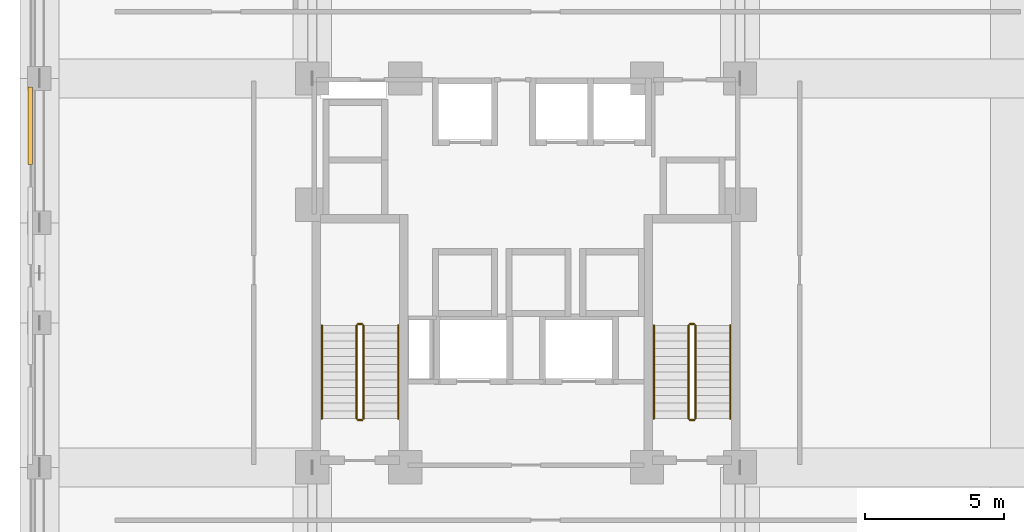
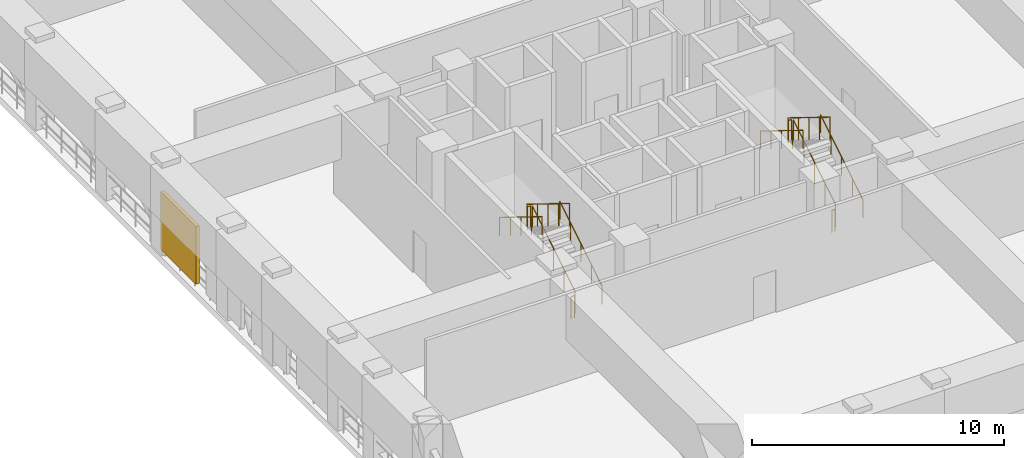
# One storey, part 10 of 11: 12 railings, 1 shading device.
"""IFC4 building model written with IfcOpenShell, lengths in metres."""

from ifc_helpers import new_model, si_unit, derived_unit, direction, frame, origin, origin_2d, place, context, subcontext, project, spatial, rectangle, circle, extrude, material, type_object, element, save


model = new_model("IFC4")

# Units and contexts
model_context = context("Model", 3, precision=1e-05, world=origin(), true_north=direction((0.0, 1.0)))
body_context = subcontext(model_context, "Body", "Model", "MODEL_VIEW")
ifc_project = project(units=[si_unit("LENGTHUNIT", "METRE"), si_unit("AREAUNIT", "SQUARE_METRE"), si_unit("VOLUMEUNIT", "CUBIC_METRE"), si_unit("PLANEANGLEUNIT", "RADIAN"), si_unit("MASSUNIT", "GRAM", prefix="KILO"), derived_unit("THERMALTRANSMITTANCEUNIT", [(si_unit("MASSUNIT", "GRAM", prefix="KILO"), 1), (si_unit("TIMEUNIT", "SECOND"), -3), (si_unit("THERMODYNAMICTEMPERATUREUNIT", "KELVIN"), -1)])], contexts=[model_context])

# Site, building, storey
site_placement = place(None, origin())
site = spatial("IfcSite", under=ifc_project, at=site_placement, CompositionType="ELEMENT")
building_placement = place(site_placement, origin())
building = spatial("IfcBuilding", under=site, at=building_placement, Name="Korrvale Station Residences", CompositionType="ELEMENT")
storey_placement = place(building_placement, frame((0.0, 0.0, 70.60009765625)))
storey = spatial("IfcBuildingStorey", under=building, at=storey_placement, Name="L19", CompositionType="ELEMENT", Elevation=70.60009765625)

# Railings
ifc_material_1 = material(Name="Brushed stainless-steel continuous stair handrail", Category="steel")
railing_type_1 = type_object("IfcRailingType", Name="RLG-SHND-900", PredefinedType="HANDRAIL", material=ifc_material_1)
railing_1_placement = place(storey_placement, frame((20.89990234375, 16.75, 0.173095703125)))
element("IfcRailing", 1, at=railing_1_placement, inside=storey, type_object=railing_type_1, Name="L19 ST-1 stair handrail 1", PredefinedType="HANDRAIL", context=body_context, shape_type="SweptSolid", body=[
    extrude(circle(Radius=0.02392578125, at=origin_2d()), frame((0.0, 0.0, 0.8759765625), z_axis=(0.0, 0.850623216509, 0.525775754039), x_axis=(-1.0, 0.0, 0.0)), (0.0, 0.0, 1.0), 3.9501953125),
    extrude(circle(Radius=0.02099609375, at=origin_2d()), origin(), (0.0, 0.0, 1.0), 0.851806640625),
    extrude(circle(Radius=0.02099609375, at=origin_2d()), frame((0.0, 0.840087890625, 0.519287109375)), (0.0, 0.0, 1.0), 0.851806640625),
    extrude(circle(Radius=0.02099609375, at=origin_2d()), frame((0.0, 1.68017578125, 1.03857421875)), (0.0, 0.0, 1.0), 0.851806640625),
    extrude(circle(Radius=0.02099609375, at=origin_2d()), frame((0.0, 2.52001953125, 1.5576171875)), (0.0, 0.0, 1.0), 0.851806640625),
    extrude(circle(Radius=0.02099609375, at=origin_2d()), frame((0.0, 3.360107421875, 2.076904296875)), (0.0, 0.0, 1.0), 0.851806640625),
])
railing_2_placement = place(storey_placement, frame((18.14990234375, 20.110107421875, 2.423095703125)))
element("IfcRailing", 2, at=railing_2_placement, inside=storey, type_object=railing_type_1, Name="L19 ST-1 stair handrail 2", PredefinedType="HANDRAIL", context=body_context, shape_type="SweptSolid", body=[
    extrude(circle(Radius=0.02392578125, at=origin_2d()), frame((0.0, 0.0, 0.8759765625), z_axis=(0.0, -0.850623216509, 0.525775754039), x_axis=(1.0, 0.0, 0.0)), (0.0, 0.0, 1.0), 3.9501953125),
    extrude(circle(Radius=0.02099609375, at=origin_2d()), origin(), (0.0, 0.0, 1.0), 0.851806640625),
    extrude(circle(Radius=0.02099609375, at=origin_2d()), frame((0.0, -0.840087890625, 0.519287109375)), (0.0, 0.0, 1.0), 0.851806640625),
    extrude(circle(Radius=0.02099609375, at=origin_2d()), frame((0.0, -1.68017578125, 1.03857421875)), (0.0, 0.0, 1.0), 0.851806640625),
    extrude(circle(Radius=0.02099609375, at=origin_2d()), frame((0.0, -2.52001953125, 1.5576171875)), (0.0, 0.0, 1.0), 0.851806640625),
    extrude(circle(Radius=0.02099609375, at=origin_2d()), frame((0.0, -3.360107421875, 2.076904296875)), (0.0, 0.0, 1.0), 0.851806640625),
])
railing_3_placement = place(storey_placement, frame((32.85009765625, 16.75, 0.173095703125)))
element("IfcRailing", 3, at=railing_3_placement, inside=storey, type_object=railing_type_1, Name="L19 ST-2 stair handrail 1", PredefinedType="HANDRAIL", context=body_context, shape_type="SweptSolid", body=[
    extrude(circle(Radius=0.02392578125, at=origin_2d()), frame((0.0, 0.0, 0.8759765625), z_axis=(0.0, 0.850623216509, 0.525775754039), x_axis=(-1.0, 0.0, 0.0)), (0.0, 0.0, 1.0), 3.9501953125),
    extrude(circle(Radius=0.02099609375, at=origin_2d()), origin(), (0.0, 0.0, 1.0), 0.851806640625),
    extrude(circle(Radius=0.02099609375, at=origin_2d()), frame((0.0, 0.840087890625, 0.519287109375)), (0.0, 0.0, 1.0), 0.851806640625),
    extrude(circle(Radius=0.02099609375, at=origin_2d()), frame((0.0, 1.68017578125, 1.03857421875)), (0.0, 0.0, 1.0), 0.851806640625),
    extrude(circle(Radius=0.02099609375, at=origin_2d()), frame((0.0, 2.52001953125, 1.5576171875)), (0.0, 0.0, 1.0), 0.851806640625),
    extrude(circle(Radius=0.02099609375, at=origin_2d()), frame((0.0, 3.360107421875, 2.076904296875)), (0.0, 0.0, 1.0), 0.851806640625),
])
railing_4_placement = place(storey_placement, frame((30.10009765625, 20.110107421875, 2.423095703125)))
element("IfcRailing", 4, at=railing_4_placement, inside=storey, type_object=railing_type_1, Name="L19 ST-2 stair handrail 2", PredefinedType="HANDRAIL", context=body_context, shape_type="SweptSolid", body=[
    extrude(circle(Radius=0.02392578125, at=origin_2d()), frame((0.0, 0.0, 0.8759765625), z_axis=(0.0, -0.850623216509, 0.525775754039), x_axis=(1.0, 0.0, 0.0)), (0.0, 0.0, 1.0), 3.9501953125),
    extrude(circle(Radius=0.02099609375, at=origin_2d()), origin(), (0.0, 0.0, 1.0), 0.851806640625),
    extrude(circle(Radius=0.02099609375, at=origin_2d()), frame((0.0, -0.840087890625, 0.519287109375)), (0.0, 0.0, 1.0), 0.851806640625),
    extrude(circle(Radius=0.02099609375, at=origin_2d()), frame((0.0, -1.68017578125, 1.03857421875)), (0.0, 0.0, 1.0), 0.851806640625),
    extrude(circle(Radius=0.02099609375, at=origin_2d()), frame((0.0, -2.52001953125, 1.5576171875)), (0.0, 0.0, 1.0), 0.851806640625),
    extrude(circle(Radius=0.02099609375, at=origin_2d()), frame((0.0, -3.360107421875, 2.076904296875)), (0.0, 0.0, 1.0), 0.851806640625),
])
ifc_material_2 = material(Name="Galvanised painted tubular steel stair guard", Category="steel")
railing_type_2 = type_object("IfcRailingType", Name="RLG-STR-1100", PredefinedType="GUARDRAIL", material=ifc_material_2)
railing_5_placement = place(storey_placement, frame((19.64990234375, 16.75, 0.173095703125)))
element("IfcRailing", 5, at=railing_5_placement, inside=storey, type_object=railing_type_2, Name="L19 ST-1 stair guard 1", PredefinedType="GUARDRAIL", context=body_context, shape_type="SweptSolid", body=[
    extrude(circle(Radius=0.02392578125, at=origin_2d()), frame((0.0, 0.0, 1.076171875), z_axis=(0.0, 0.850623216509, 0.525775754039), x_axis=(-1.0, 0.0, 0.0)), (0.0, 0.0, 1.0), 3.9501953125),
    extrude(circle(Radius=0.02099609375, at=origin_2d()), origin(), (0.0, 0.0, 1.0), 1.052001953125),
    extrude(circle(Radius=0.02099609375, at=origin_2d()), frame((0.0, 0.840087890625, 0.519287109375)), (0.0, 0.0, 1.0), 1.052001953125),
    extrude(circle(Radius=0.02099609375, at=origin_2d()), frame((0.0, 1.68017578125, 1.03857421875)), (0.0, 0.0, 1.0), 1.052001953125),
    extrude(circle(Radius=0.02099609375, at=origin_2d()), frame((0.0, 2.52001953125, 1.5576171875)), (0.0, 0.0, 1.0), 1.052001953125),
    extrude(circle(Radius=0.02099609375, at=origin_2d()), frame((0.0, 3.360107421875, 2.076904296875)), (0.0, 0.0, 1.0), 1.052001953125),
])
railing_6_placement = place(storey_placement, frame((19.60009765625, 20.159912109375, 2.25)))
element("IfcRailing", 6, at=railing_6_placement, inside=storey, type_object=railing_type_2, Name="L19 ST-1 stair guard 2", PredefinedType="GUARDRAIL", context=body_context, shape_type="SweptSolid", body=[
    extrude(circle(Radius=0.02392578125, at=origin_2d()), frame((0.0, 0.0, 1.076171875), z_axis=(-1.0, 0.0, 0.0), x_axis=(0.0, -1.0, 0.0)), (0.0, 0.0, 1.0), 0.150146484375),
    extrude(circle(Radius=0.02099609375, at=origin_2d()), origin(), (0.0, 0.0, 1.0), 1.052001953125),
    extrude(circle(Radius=0.02099609375, at=origin_2d()), frame((-0.150146484375, 0.0, 0.0)), (0.0, 0.0, 1.0), 1.052001953125),
])
railing_7_placement = place(storey_placement, frame((19.39990234375, 20.110107421875, 2.423095703125)))
element("IfcRailing", 7, at=railing_7_placement, inside=storey, type_object=railing_type_2, Name="L19 ST-1 stair guard 3", PredefinedType="GUARDRAIL", context=body_context, shape_type="SweptSolid", body=[
    extrude(circle(Radius=0.02392578125, at=origin_2d()), frame((0.0, 0.0, 1.076171875), z_axis=(0.0, -0.850623216509, 0.525775754039), x_axis=(1.0, 0.0, 0.0)), (0.0, 0.0, 1.0), 3.9501953125),
    extrude(circle(Radius=0.02099609375, at=origin_2d()), origin(), (0.0, 0.0, 1.0), 1.052001953125),
    extrude(circle(Radius=0.02099609375, at=origin_2d()), frame((0.0, -0.840087890625, 0.519287109375)), (0.0, 0.0, 1.0), 1.052001953125),
    extrude(circle(Radius=0.02099609375, at=origin_2d()), frame((0.0, -1.68017578125, 1.03857421875)), (0.0, 0.0, 1.0), 1.052001953125),
    extrude(circle(Radius=0.02099609375, at=origin_2d()), frame((0.0, -2.52001953125, 1.5576171875)), (0.0, 0.0, 1.0), 1.052001953125),
    extrude(circle(Radius=0.02099609375, at=origin_2d()), frame((0.0, -3.360107421875, 2.076904296875)), (0.0, 0.0, 1.0), 1.052001953125),
])
railing_8_placement = place(storey_placement, frame((19.60009765625, 16.699951171875, 0.0)))
element("IfcRailing", 8, at=railing_8_placement, inside=storey, type_object=railing_type_2, Name="L19 ST-1 stair guard 4", PredefinedType="GUARDRAIL", context=body_context, shape_type="SweptSolid", body=[
    extrude(circle(Radius=0.02392578125, at=origin_2d()), frame((0.0, 0.0, 1.076171875), z_axis=(-1.0, 0.0, 0.0), x_axis=(0.0, -1.0, 0.0)), (0.0, 0.0, 1.0), 0.150146484375),
    extrude(circle(Radius=0.02099609375, at=origin_2d()), origin(), (0.0, 0.0, 1.0), 1.052001953125),
    extrude(circle(Radius=0.02099609375, at=origin_2d()), frame((-0.150146484375, 0.0, 0.0)), (0.0, 0.0, 1.0), 1.052001953125),
])
railing_9_placement = place(storey_placement, frame((31.60009765625, 16.75, 0.173095703125)))
element("IfcRailing", 9, at=railing_9_placement, inside=storey, type_object=railing_type_2, Name="L19 ST-2 stair guard 1", PredefinedType="GUARDRAIL", context=body_context, shape_type="SweptSolid", body=[
    extrude(circle(Radius=0.02392578125, at=origin_2d()), frame((0.0, 0.0, 1.076171875), z_axis=(0.0, 0.850623216509, 0.525775754039), x_axis=(-1.0, 0.0, 0.0)), (0.0, 0.0, 1.0), 3.9501953125),
    extrude(circle(Radius=0.02099609375, at=origin_2d()), origin(), (0.0, 0.0, 1.0), 1.052001953125),
    extrude(circle(Radius=0.02099609375, at=origin_2d()), frame((0.0, 0.840087890625, 0.519287109375)), (0.0, 0.0, 1.0), 1.052001953125),
    extrude(circle(Radius=0.02099609375, at=origin_2d()), frame((0.0, 1.68017578125, 1.03857421875)), (0.0, 0.0, 1.0), 1.052001953125),
    extrude(circle(Radius=0.02099609375, at=origin_2d()), frame((0.0, 2.52001953125, 1.5576171875)), (0.0, 0.0, 1.0), 1.052001953125),
    extrude(circle(Radius=0.02099609375, at=origin_2d()), frame((0.0, 3.360107421875, 2.076904296875)), (0.0, 0.0, 1.0), 1.052001953125),
])
railing_10_placement = place(storey_placement, frame((31.550048828125, 20.159912109375, 2.25)))
element("IfcRailing", 10, at=railing_10_placement, inside=storey, type_object=railing_type_2, Name="L19 ST-2 stair guard 2", PredefinedType="GUARDRAIL", context=body_context, shape_type="SweptSolid", body=[
    extrude(circle(Radius=0.02392578125, at=origin_2d()), frame((0.0, 0.0, 1.076171875), z_axis=(-1.0, 0.0, 0.0), x_axis=(0.0, -1.0, 0.0)), (0.0, 0.0, 1.0), 0.150146484375),
    extrude(circle(Radius=0.02099609375, at=origin_2d()), origin(), (0.0, 0.0, 1.0), 1.052001953125),
    extrude(circle(Radius=0.02099609375, at=origin_2d()), frame((-0.150146484375, 0.0, 0.0)), (0.0, 0.0, 1.0), 1.052001953125),
])
railing_11_placement = place(storey_placement, frame((31.35009765625, 20.110107421875, 2.423095703125)))
element("IfcRailing", 11, at=railing_11_placement, inside=storey, type_object=railing_type_2, Name="L19 ST-2 stair guard 3", PredefinedType="GUARDRAIL", context=body_context, shape_type="SweptSolid", body=[
    extrude(circle(Radius=0.02392578125, at=origin_2d()), frame((0.0, 0.0, 1.076171875), z_axis=(0.0, -0.850623216509, 0.525775754039), x_axis=(1.0, 0.0, 0.0)), (0.0, 0.0, 1.0), 3.9501953125),
    extrude(circle(Radius=0.02099609375, at=origin_2d()), origin(), (0.0, 0.0, 1.0), 1.052001953125),
    extrude(circle(Radius=0.02099609375, at=origin_2d()), frame((0.0, -0.840087890625, 0.519287109375)), (0.0, 0.0, 1.0), 1.052001953125),
    extrude(circle(Radius=0.02099609375, at=origin_2d()), frame((0.0, -1.68017578125, 1.03857421875)), (0.0, 0.0, 1.0), 1.052001953125),
    extrude(circle(Radius=0.02099609375, at=origin_2d()), frame((0.0, -2.52001953125, 1.5576171875)), (0.0, 0.0, 1.0), 1.052001953125),
    extrude(circle(Radius=0.02099609375, at=origin_2d()), frame((0.0, -3.360107421875, 2.076904296875)), (0.0, 0.0, 1.0), 1.052001953125),
])
railing_12_placement = place(storey_placement, frame((31.550048828125, 16.699951171875, 0.0)))
element("IfcRailing", 12, at=railing_12_placement, inside=storey, type_object=railing_type_2, Name="L19 ST-2 stair guard 4", PredefinedType="GUARDRAIL", context=body_context, shape_type="SweptSolid", body=[
    extrude(circle(Radius=0.02392578125, at=origin_2d()), frame((0.0, 0.0, 1.076171875), z_axis=(-1.0, 0.0, 0.0), x_axis=(0.0, -1.0, 0.0)), (0.0, 0.0, 1.0), 0.150146484375),
    extrude(circle(Radius=0.02099609375, at=origin_2d()), origin(), (0.0, 0.0, 1.0), 1.052001953125),
    extrude(circle(Radius=0.02099609375, at=origin_2d()), frame((-0.150146484375, 0.0, 0.0)), (0.0, 0.0, 1.0), 1.052001953125),
])

# Shading device
ifc_material_3 = material(Name="Powder-coated aluminium acoustic louvre", Category="aluminium")
shading_device_type = type_object("IfcShadingDeviceType", Name="SHD-LVR-REF", PredefinedType="USERDEFINED", material=ifc_material_3)
shading_device_placement = place(storey_placement, frame((7.64990234375, 27.300048828125, 0.25), z_axis=(0.0, 0.0, 1.0), x_axis=(1.0, 0.0, 0.0)))
element("IfcShadingDevice", 13, at=shading_device_placement, inside=storey, type_object=shading_device_type, Name="L19 Open Refuge Band Acoustic Storm Louvre West 4", ObjectType="LOUVRE", PredefinedType="USERDEFINED", context=body_context, shape_type="SweptSolid", body=[
    extrude(rectangle(XDim=0.159912109375, YDim=2.800048828125, at=origin_2d()), origin(), (0.0, 0.0, 1.0), 2.800048828125),
])

save(model, "model.ifc")
